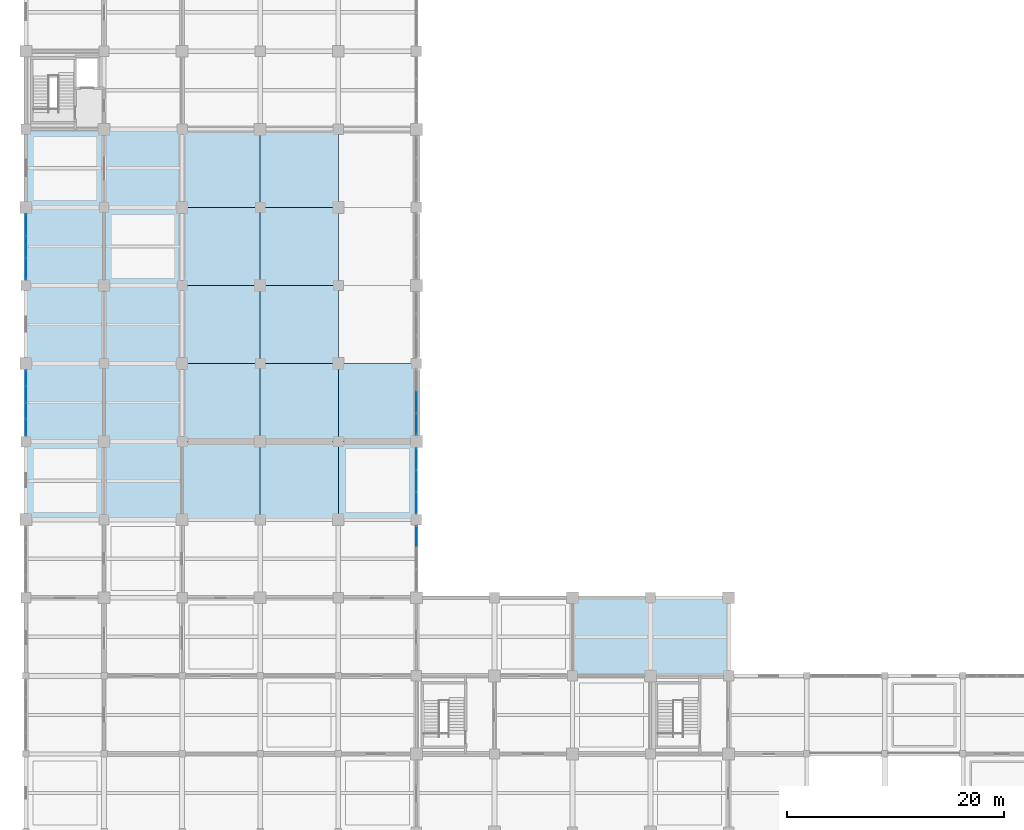
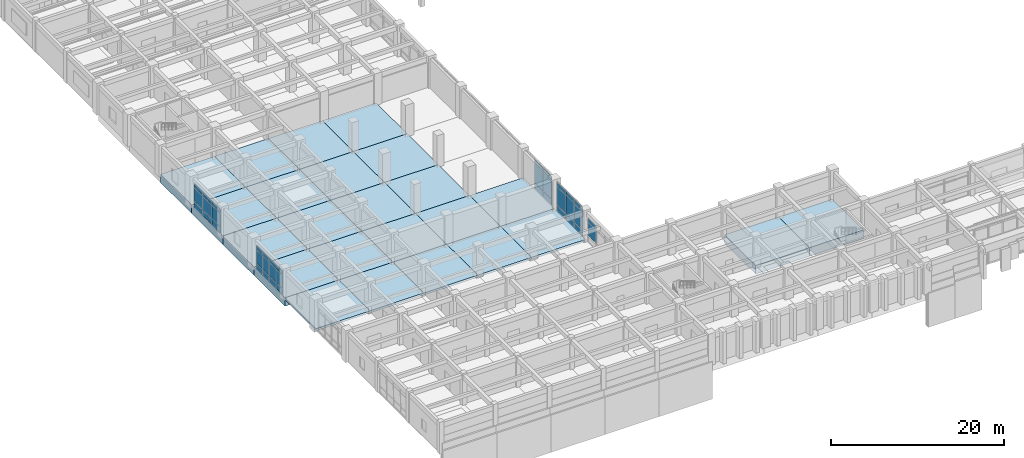
# One storey, part 39 of 81: 38 plates, 24 slabs, 5 elements without a shape of their own.
"""IFC4 building model written with IfcOpenShell, lengths in metres."""

from ifc_helpers import new_model, si_unit, direction, frame, origin, origin_2d, place, context, subcontext, project, spatial, polyline, rectangle, outline, extrude, material, layer, layer_set, type_object, element, aggregate, save


model = new_model("IFC4")

# Units and contexts
model_context = context("Model", 3, precision=1e-05, world=origin(), true_north=direction((0.0, 1.0)))
body_context = subcontext(model_context, "Body", "Model", "MODEL_VIEW")
ifc_project = project(units=[si_unit("LENGTHUNIT", "METRE"), si_unit("AREAUNIT", "SQUARE_METRE"), si_unit("VOLUMEUNIT", "CUBIC_METRE"), si_unit("PLANEANGLEUNIT", "RADIAN"), si_unit("MASSUNIT", "GRAM", prefix="KILO")], contexts=[model_context])

# Site, building, storey
site_placement = place(None, origin())
site = spatial("IfcSite", under=ifc_project, at=site_placement, CompositionType="ELEMENT")
building_placement = place(site_placement, origin())
building = spatial("IfcBuilding", under=site, at=building_placement, Name="Kavelor Marine Aquarium", CompositionType="ELEMENT")
storey_placement = place(building_placement, frame((0.0, 0.0, 4.679931640625)))
storey = spatial("IfcBuildingStorey", under=building, at=storey_placement, Name="L01", CompositionType="ELEMENT", Elevation=4.679931640625)

# Curtain wall, plates
ifc_material_1 = material(Name="Thermally Broken Aluminium and Low-E Glass", Category="aluminium")
ifc_layer_1 = layer(ifc_material_1, 0.251953125)
ifc_layer_set_1 = layer_set([ifc_layer_1], Name="CW-SYS14")
curtain_wall_type_1 = type_object("IfcCurtainWallType", Name="CW-SYS14", PredefinedType="USERDEFINED", material=ifc_layer_set_1)
curtain_wall_1_placement = place(storey_placement, origin())
curtain_wall_1 = element("IfcCurtainWall", 1, at=curtain_wall_1_placement, inside=storey, type_object=curtain_wall_type_1, Name="cw:y:L01:00_05", ObjectType="Curtain Wall", PredefinedType="USERDEFINED")
ifc_material_2 = material(Name="Solar-Control Double Low-E Glazing", Category="glass")
ifc_layer_2 = layer(ifc_material_2, 0.028076171875)
ifc_layer_set_2 = layer_set([ifc_layer_2], Name="CWP-02")
plate_type_1 = type_object("IfcPlateType", Name="CWP-02", PredefinedType="CURTAIN_PANEL", material=ifc_layer_set_2)
plate_1_placement = place(storey_placement, frame((3.199951171875, 44.628173828125, 0.06494140625), z_axis=(0.0, 0.0, 1.0), x_axis=(0.0, -1.0, 0.0)))
plate_1 = element("IfcPlate", 2, at=plate_1_placement, type_object=plate_type_1, Name="CW14 panel 1.1", PredefinedType="CURTAIN_PANEL", context=body_context, shape_type="SweptSolid", body=[
    extrude(rectangle(XDim=1.423828125, YDim=0.028076171875, at=origin_2d()), origin(), (0.0, 0.0, 1.0), 0.802490234375),
])
plate_2_placement = place(storey_placement, frame((3.199951171875, 44.628173828125, 0.9326171875), z_axis=(0.0, 0.0, 1.0), x_axis=(0.0, -1.0, 0.0)))
plate_2 = element("IfcPlate", 3, at=plate_2_placement, type_object=plate_type_1, Name="CW14 panel 1.2", PredefinedType="CURTAIN_PANEL", context=body_context, shape_type="SweptSolid", body=[
    extrude(rectangle(XDim=1.423828125, YDim=0.028076171875, at=origin_2d()), origin(), (0.0, 0.0, 1.0), 1.89501953125),
])
plate_3_placement = place(storey_placement, frame((3.199951171875, 44.628173828125, 2.892578125), z_axis=(0.0, 0.0, 1.0), x_axis=(0.0, -1.0, 0.0)))
plate_3 = element("IfcPlate", 4, at=plate_3_placement, type_object=plate_type_1, Name="CW14 panel 1.3", PredefinedType="CURTAIN_PANEL", context=body_context, shape_type="SweptSolid", body=[
    extrude(rectangle(XDim=1.423828125, YDim=0.028076171875, at=origin_2d()), origin(), (0.0, 0.0, 1.0), 0.552490234375),
])
plate_4_placement = place(storey_placement, frame((3.199951171875, 43.123046875, 0.06494140625), z_axis=(0.0, 0.0, 1.0), x_axis=(0.0, -1.0, 0.0)))
plate_4 = element("IfcPlate", 5, at=plate_4_placement, type_object=plate_type_1, Name="CW14 panel 2.1", PredefinedType="CURTAIN_PANEL", context=body_context, shape_type="SweptSolid", body=[
    extrude(rectangle(XDim=1.456298828125, YDim=0.028076171875, at=origin_2d()), origin(), (0.0, 0.0, 1.0), 0.802490234375),
])
plate_5_placement = place(storey_placement, frame((3.199951171875, 43.123046875, 0.9326171875), z_axis=(0.0, 0.0, 1.0), x_axis=(0.0, -1.0, 0.0)))
plate_5 = element("IfcPlate", 6, at=plate_5_placement, type_object=plate_type_1, Name="CW14 panel 2.2", PredefinedType="CURTAIN_PANEL", context=body_context, shape_type="SweptSolid", body=[
    extrude(rectangle(XDim=1.456298828125, YDim=0.028076171875, at=origin_2d()), origin(), (0.0, 0.0, 1.0), 1.89501953125),
])
plate_6_placement = place(storey_placement, frame((3.199951171875, 43.123046875, 2.892578125), z_axis=(0.0, 0.0, 1.0), x_axis=(0.0, -1.0, 0.0)))
plate_6 = element("IfcPlate", 7, at=plate_6_placement, type_object=plate_type_1, Name="CW14 panel 2.3", PredefinedType="CURTAIN_PANEL", context=body_context, shape_type="SweptSolid", body=[
    extrude(rectangle(XDim=1.456298828125, YDim=0.028076171875, at=origin_2d()), origin(), (0.0, 0.0, 1.0), 0.552490234375),
])
plate_7_placement = place(storey_placement, frame((3.199951171875, 41.601806640625, 0.06494140625), z_axis=(0.0, 0.0, 1.0), x_axis=(0.0, -1.0, 0.0)))
plate_7 = element("IfcPlate", 8, at=plate_7_placement, type_object=plate_type_1, Name="CW14 panel 3.1", PredefinedType="CURTAIN_PANEL", context=body_context, shape_type="SweptSolid", body=[
    extrude(rectangle(XDim=1.456298828125, YDim=0.028076171875, at=origin_2d()), origin(), (0.0, 0.0, 1.0), 0.802490234375),
])
plate_8_placement = place(storey_placement, frame((3.199951171875, 41.601806640625, 0.9326171875), z_axis=(0.0, 0.0, 1.0), x_axis=(0.0, -1.0, 0.0)))
plate_8 = element("IfcPlate", 9, at=plate_8_placement, type_object=plate_type_1, Name="CW14 panel 3.2", PredefinedType="CURTAIN_PANEL", context=body_context, shape_type="SweptSolid", body=[
    extrude(rectangle(XDim=1.456298828125, YDim=0.028076171875, at=origin_2d()), origin(), (0.0, 0.0, 1.0), 1.89501953125),
])
plate_9_placement = place(storey_placement, frame((3.199951171875, 41.601806640625, 2.892578125), z_axis=(0.0, 0.0, 1.0), x_axis=(0.0, -1.0, 0.0)))
plate_9 = element("IfcPlate", 10, at=plate_9_placement, type_object=plate_type_1, Name="CW14 panel 3.3", PredefinedType="CURTAIN_PANEL", context=body_context, shape_type="SweptSolid", body=[
    extrude(rectangle(XDim=1.456298828125, YDim=0.028076171875, at=origin_2d()), origin(), (0.0, 0.0, 1.0), 0.552490234375),
])
plate_10_placement = place(storey_placement, frame((3.199951171875, 40.096923828125, 0.06494140625), z_axis=(0.0, 0.0, 1.0), x_axis=(0.0, -1.0, 0.0)))
plate_10 = element("IfcPlate", 11, at=plate_10_placement, type_object=plate_type_1, Name="CW14 panel 4.1", PredefinedType="CURTAIN_PANEL", context=body_context, shape_type="SweptSolid", body=[
    extrude(rectangle(XDim=1.423828125, YDim=0.028076171875, at=origin_2d()), origin(), (0.0, 0.0, 1.0), 0.802490234375),
])
plate_11_placement = place(storey_placement, frame((3.199951171875, 40.096923828125, 0.9326171875), z_axis=(0.0, 0.0, 1.0), x_axis=(0.0, -1.0, 0.0)))
plate_11 = element("IfcPlate", 12, at=plate_11_placement, type_object=plate_type_1, Name="CW14 panel 4.2", PredefinedType="CURTAIN_PANEL", context=body_context, shape_type="SweptSolid", body=[
    extrude(rectangle(XDim=1.423828125, YDim=0.028076171875, at=origin_2d()), origin(), (0.0, 0.0, 1.0), 1.89501953125),
])
plate_12_placement = place(storey_placement, frame((3.199951171875, 40.096923828125, 2.892578125), z_axis=(0.0, 0.0, 1.0), x_axis=(0.0, -1.0, 0.0)))
plate_12 = element("IfcPlate", 13, at=plate_12_placement, type_object=plate_type_1, Name="CW14 panel 4.3", PredefinedType="CURTAIN_PANEL", context=body_context, shape_type="SweptSolid", body=[
    extrude(rectangle(XDim=1.423828125, YDim=0.028076171875, at=origin_2d()), origin(), (0.0, 0.0, 1.0), 0.552490234375),
])
aggregate(curtain_wall_1, [plate_1, plate_2, plate_3, plate_4, plate_5, plate_6, plate_7, plate_8, plate_9, plate_10, plate_11, plate_12])

ifc_material_3 = material(Name="Thermally Broken Aluminium and Low-E Glass", Category="aluminium")
ifc_layer_3 = layer(ifc_material_3, 0.260009765625)
ifc_layer_set_3 = layer_set([ifc_layer_3], Name="CW-SYS15")
curtain_wall_type_2 = type_object("IfcCurtainWallType", Name="CW-SYS15", PredefinedType="USERDEFINED", material=ifc_layer_set_3)
curtain_wall_2_placement = place(storey_placement, origin())
curtain_wall_2 = element("IfcCurtainWall", 14, at=curtain_wall_2_placement, inside=storey, type_object=curtain_wall_type_2, Name="cw:y:L01:00_07", ObjectType="Curtain Wall", PredefinedType="USERDEFINED")
ifc_material_4 = material(Name="Solar-Control Double Low-E Glazing", Category="glass")
ifc_layer_4 = layer(ifc_material_4, 0.030029296875)
ifc_layer_set_4 = layer_set([ifc_layer_4], Name="CWP-03")
plate_type_2 = type_object("IfcPlateType", Name="CWP-03", PredefinedType="CURTAIN_PANEL", material=ifc_layer_set_4)
plate_13_placement = place(storey_placement, frame((3.199951171875, 58.77587890625, 0.06494140625), z_axis=(0.0, 0.0, 1.0), x_axis=(0.0, -1.0, 0.0)))
plate_13 = element("IfcPlate", 15, at=plate_13_placement, type_object=plate_type_2, Name="CW15 panel 1.1", PredefinedType="CURTAIN_PANEL", context=body_context, shape_type="SweptSolid", body=[
    extrude(rectangle(XDim=1.938232421875, YDim=0.030029296875, at=origin_2d()), origin(), (0.0, 0.0, 1.0), 0.802490234375),
])
plate_14_placement = place(storey_placement, frame((3.199951171875, 58.77587890625, 0.9326171875), z_axis=(0.0, 0.0, 1.0), x_axis=(0.0, -1.0, 0.0)))
plate_14 = element("IfcPlate", 16, at=plate_14_placement, type_object=plate_type_2, Name="CW15 panel 1.2", PredefinedType="CURTAIN_PANEL", context=body_context, shape_type="SweptSolid", body=[
    extrude(rectangle(XDim=1.938232421875, YDim=0.030029296875, at=origin_2d()), origin(), (0.0, 0.0, 1.0), 1.89501953125),
])
plate_15_placement = place(storey_placement, frame((3.199951171875, 58.77587890625, 2.892578125), z_axis=(0.0, 0.0, 1.0), x_axis=(0.0, -1.0, 0.0)))
plate_15 = element("IfcPlate", 17, at=plate_15_placement, type_object=plate_type_2, Name="CW15 panel 1.3", PredefinedType="CURTAIN_PANEL", context=body_context, shape_type="SweptSolid", body=[
    extrude(rectangle(XDim=1.938232421875, YDim=0.030029296875, at=origin_2d()), origin(), (0.0, 0.0, 1.0), 0.552490234375),
])
plate_16_placement = place(storey_placement, frame((3.199951171875, 56.762451171875, 0.06494140625), z_axis=(0.0, 0.0, 1.0), x_axis=(0.0, -1.0, 0.0)))
plate_16 = element("IfcPlate", 18, at=plate_16_placement, type_object=plate_type_2, Name="CW15 panel 2.1", PredefinedType="CURTAIN_PANEL", context=body_context, shape_type="SweptSolid", body=[
    extrude(rectangle(XDim=1.96826171875, YDim=0.030029296875, at=origin_2d()), origin(), (0.0, 0.0, 1.0), 0.802490234375),
])
plate_17_placement = place(storey_placement, frame((3.199951171875, 56.762451171875, 0.9326171875), z_axis=(0.0, 0.0, 1.0), x_axis=(0.0, -1.0, 0.0)))
plate_17 = element("IfcPlate", 19, at=plate_17_placement, type_object=plate_type_2, Name="CW15 panel 2.2", PredefinedType="CURTAIN_PANEL", context=body_context, shape_type="SweptSolid", body=[
    extrude(rectangle(XDim=1.96826171875, YDim=0.030029296875, at=origin_2d()), origin(), (0.0, 0.0, 1.0), 1.89501953125),
])
plate_18_placement = place(storey_placement, frame((3.199951171875, 56.762451171875, 2.892578125), z_axis=(0.0, 0.0, 1.0), x_axis=(0.0, -1.0, 0.0)))
plate_18 = element("IfcPlate", 20, at=plate_18_placement, type_object=plate_type_2, Name="CW15 panel 2.3", PredefinedType="CURTAIN_PANEL", context=body_context, shape_type="SweptSolid", body=[
    extrude(rectangle(XDim=1.96826171875, YDim=0.030029296875, at=origin_2d()), origin(), (0.0, 0.0, 1.0), 0.552490234375),
])
plate_19_placement = place(storey_placement, frame((3.199951171875, 54.749267578125, 0.06494140625), z_axis=(0.0, 0.0, 1.0), x_axis=(0.0, -1.0, 0.0)))
plate_19 = element("IfcPlate", 21, at=plate_19_placement, type_object=plate_type_2, Name="CW15 panel 3.1", PredefinedType="CURTAIN_PANEL", context=body_context, shape_type="SweptSolid", body=[
    extrude(rectangle(XDim=1.938232421875, YDim=0.030029296875, at=origin_2d()), origin(), (0.0, 0.0, 1.0), 0.802490234375),
])
plate_20_placement = place(storey_placement, frame((3.199951171875, 54.749267578125, 0.9326171875), z_axis=(0.0, 0.0, 1.0), x_axis=(0.0, -1.0, 0.0)))
plate_20 = element("IfcPlate", 22, at=plate_20_placement, type_object=plate_type_2, Name="CW15 panel 3.2", PredefinedType="CURTAIN_PANEL", context=body_context, shape_type="SweptSolid", body=[
    extrude(rectangle(XDim=1.938232421875, YDim=0.030029296875, at=origin_2d()), origin(), (0.0, 0.0, 1.0), 1.89501953125),
])
plate_21_placement = place(storey_placement, frame((3.199951171875, 54.749267578125, 2.892578125), z_axis=(0.0, 0.0, 1.0), x_axis=(0.0, -1.0, 0.0)))
plate_21 = element("IfcPlate", 23, at=plate_21_placement, type_object=plate_type_2, Name="CW15 panel 3.3", PredefinedType="CURTAIN_PANEL", context=body_context, shape_type="SweptSolid", body=[
    extrude(rectangle(XDim=1.938232421875, YDim=0.030029296875, at=origin_2d()), origin(), (0.0, 0.0, 1.0), 0.552490234375),
])
aggregate(curtain_wall_2, [plate_13, plate_14, plate_15, plate_16, plate_17, plate_18, plate_19, plate_20, plate_21])

ifc_material_5 = material(Name="Thermally Broken Aluminium and Low-E Glass", Category="aluminium")
ifc_layer_5 = layer(ifc_material_5, 0.26806640625)
ifc_layer_set_5 = layer_set([ifc_layer_5], Name="CW-SYS16")
curtain_wall_type_3 = type_object("IfcCurtainWallType", Name="CW-SYS16", PredefinedType="USERDEFINED", material=ifc_layer_set_5)
curtain_wall_3_placement = place(storey_placement, origin())
curtain_wall_3 = element("IfcCurtainWall", 24, at=curtain_wall_3_placement, inside=storey, type_object=curtain_wall_type_3, Name="cw:y:L01:05_03", ObjectType="Curtain Wall", PredefinedType="USERDEFINED")
ifc_material_6 = material(Name="Solar-Control Double Low-E Glazing", Category="glass")
ifc_layer_6 = layer(ifc_material_6, 0.031982421875)
ifc_layer_set_6 = layer_set([ifc_layer_6], Name="CWP-04")
plate_type_3 = type_object("IfcPlateType", Name="CWP-04", PredefinedType="CURTAIN_PANEL", material=ifc_layer_set_6)
plate_22_placement = place(storey_placement, frame((39.199951171875, 30.047119140625, 0.93017578125), z_axis=(0.0, 0.0, 1.0), x_axis=(0.0, 1.0, 0.0)))
plate_22 = element("IfcPlate", 25, at=plate_22_placement, type_object=plate_type_3, Name="CW16 panel 3.2", PredefinedType="CURTAIN_PANEL", context=body_context, shape_type="SweptSolid", body=[
    extrude(rectangle(XDim=1.915771484375, YDim=0.031982421875, at=origin_2d()), origin(), (0.0, 0.0, 1.0), 1.89990234375),
])
plate_23_placement = place(storey_placement, frame((39.199951171875, 30.047119140625, 2.89013671875), z_axis=(0.0, 0.0, 1.0), x_axis=(0.0, 1.0, 0.0)))
plate_23 = element("IfcPlate", 26, at=plate_23_placement, type_object=plate_type_3, Name="CW16 panel 3.3", PredefinedType="CURTAIN_PANEL", context=body_context, shape_type="SweptSolid", body=[
    extrude(rectangle(XDim=1.915771484375, YDim=0.031982421875, at=origin_2d()), origin(), (0.0, 0.0, 1.0), 0.56005859375),
])
aggregate(curtain_wall_3, [plate_22, plate_23])

ifc_material_7 = material(Name="Thermally Broken Aluminium and Low-E Glass", Category="aluminium")
ifc_layer_7 = layer(ifc_material_7, 0.27587890625)
ifc_layer_set_7 = layer_set([ifc_layer_7], Name="CW-SYS17")
curtain_wall_type_4 = type_object("IfcCurtainWallType", Name="CW-SYS17", PredefinedType="USERDEFINED", material=ifc_layer_set_7)
curtain_wall_4_placement = place(storey_placement, origin())
curtain_wall_4 = element("IfcCurtainWall", 27, at=curtain_wall_4_placement, inside=storey, type_object=curtain_wall_type_4, Name="cw:y:L01:05_04", ObjectType="Curtain Wall", PredefinedType="USERDEFINED")
ifc_material_8 = material(Name="Solar-Control Double Low-E Glazing", Category="glass")
ifc_layer_8 = layer(ifc_material_8, 0.033935546875)
ifc_layer_set_8 = layer_set([ifc_layer_8], Name="CWP-05")
plate_type_4 = type_object("IfcPlateType", Name="CWP-05", PredefinedType="CURTAIN_PANEL", material=ifc_layer_set_8)
plate_24_placement = place(storey_placement, frame((39.199951171875, 33.150390625, 0.06005859375), z_axis=(0.0, 0.0, 1.0), x_axis=(0.0, 1.0, 0.0)))
plate_24 = element("IfcPlate", 28, at=plate_24_placement, type_object=plate_type_4, Name="CW17 panel 1.1", PredefinedType="CURTAIN_PANEL", context=body_context, shape_type="SweptSolid", body=[
    extrude(rectangle(XDim=1.930908203125, YDim=0.033935546875, at=origin_2d()), origin(), (0.0, 0.0, 1.0), 0.81005859375),
])
plate_25_placement = place(storey_placement, frame((39.199951171875, 33.150390625, 0.93017578125), z_axis=(0.0, 0.0, 1.0), x_axis=(0.0, 1.0, 0.0)))
plate_25 = element("IfcPlate", 29, at=plate_25_placement, type_object=plate_type_4, Name="CW17 panel 1.2", PredefinedType="CURTAIN_PANEL", context=body_context, shape_type="SweptSolid", body=[
    extrude(rectangle(XDim=1.930908203125, YDim=0.033935546875, at=origin_2d()), origin(), (0.0, 0.0, 1.0), 2.590087890625),
])
plate_26_placement = place(storey_placement, frame((39.199951171875, 33.150390625, 3.580078125), z_axis=(0.0, 0.0, 1.0), x_axis=(0.0, 1.0, 0.0)))
plate_26 = element("IfcPlate", 30, at=plate_26_placement, type_object=plate_type_4, Name="CW17 panel 1.3", PredefinedType="CURTAIN_PANEL", context=body_context, shape_type="SweptSolid", body=[
    extrude(rectangle(XDim=1.930908203125, YDim=0.033935546875, at=origin_2d()), origin(), (0.0, 0.0, 1.0), 0.56005859375),
])
plate_27_placement = place(storey_placement, frame((39.199951171875, 35.16259765625, 0.06005859375), z_axis=(0.0, 0.0, 1.0), x_axis=(0.0, 1.0, 0.0)))
plate_27 = element("IfcPlate", 31, at=plate_27_placement, type_object=plate_type_4, Name="CW17 panel 2.1", PredefinedType="CURTAIN_PANEL", context=body_context, shape_type="SweptSolid", body=[
    extrude(rectangle(XDim=1.96337890625, YDim=0.033935546875, at=origin_2d()), origin(), (0.0, 0.0, 1.0), 0.81005859375),
])
plate_28_placement = place(storey_placement, frame((39.199951171875, 35.16259765625, 0.93017578125), z_axis=(0.0, 0.0, 1.0), x_axis=(0.0, 1.0, 0.0)))
plate_28 = element("IfcPlate", 32, at=plate_28_placement, type_object=plate_type_4, Name="CW17 panel 2.2", PredefinedType="CURTAIN_PANEL", context=body_context, shape_type="SweptSolid", body=[
    extrude(rectangle(XDim=1.96337890625, YDim=0.033935546875, at=origin_2d()), origin(), (0.0, 0.0, 1.0), 2.590087890625),
])
plate_29_placement = place(storey_placement, frame((39.199951171875, 35.16259765625, 3.580078125), z_axis=(0.0, 0.0, 1.0), x_axis=(0.0, 1.0, 0.0)))
plate_29 = element("IfcPlate", 33, at=plate_29_placement, type_object=plate_type_4, Name="CW17 panel 2.3", PredefinedType="CURTAIN_PANEL", context=body_context, shape_type="SweptSolid", body=[
    extrude(rectangle(XDim=1.96337890625, YDim=0.033935546875, at=origin_2d()), origin(), (0.0, 0.0, 1.0), 0.56005859375),
])
plate_30_placement = place(storey_placement, frame((39.199951171875, 37.174560546875, 0.06005859375), z_axis=(0.0, 0.0, 1.0), x_axis=(0.0, 1.0, 0.0)))
plate_30 = element("IfcPlate", 34, at=plate_30_placement, type_object=plate_type_4, Name="CW17 panel 3.1", PredefinedType="CURTAIN_PANEL", context=body_context, shape_type="SweptSolid", body=[
    extrude(rectangle(XDim=1.930908203125, YDim=0.033935546875, at=origin_2d()), origin(), (0.0, 0.0, 1.0), 0.81005859375),
])
plate_31_placement = place(storey_placement, frame((39.199951171875, 37.174560546875, 0.93017578125), z_axis=(0.0, 0.0, 1.0), x_axis=(0.0, 1.0, 0.0)))
plate_31 = element("IfcPlate", 35, at=plate_31_placement, type_object=plate_type_4, Name="CW17 panel 3.2", PredefinedType="CURTAIN_PANEL", context=body_context, shape_type="SweptSolid", body=[
    extrude(rectangle(XDim=1.930908203125, YDim=0.033935546875, at=origin_2d()), origin(), (0.0, 0.0, 1.0), 2.590087890625),
])
plate_32_placement = place(storey_placement, frame((39.199951171875, 37.174560546875, 3.580078125), z_axis=(0.0, 0.0, 1.0), x_axis=(0.0, 1.0, 0.0)))
plate_32 = element("IfcPlate", 36, at=plate_32_placement, type_object=plate_type_4, Name="CW17 panel 3.3", PredefinedType="CURTAIN_PANEL", context=body_context, shape_type="SweptSolid", body=[
    extrude(rectangle(XDim=1.930908203125, YDim=0.033935546875, at=origin_2d()), origin(), (0.0, 0.0, 1.0), 0.56005859375),
])
aggregate(curtain_wall_4, [plate_24, plate_25, plate_26, plate_27, plate_28, plate_29, plate_30, plate_31, plate_32])

ifc_material_9 = material(Name="Thermally Broken Aluminium and Low-E Glass", Category="aluminium")
ifc_layer_9 = layer(ifc_material_9, 0.283935546875)
ifc_layer_set_9 = layer_set([ifc_layer_9], Name="CW-SYS18")
curtain_wall_type_5 = type_object("IfcCurtainWallType", Name="CW-SYS18", PredefinedType="USERDEFINED", material=ifc_layer_set_9)
curtain_wall_5_placement = place(storey_placement, origin())
curtain_wall_5 = element("IfcCurtainWall", 37, at=curtain_wall_5_placement, inside=storey, type_object=curtain_wall_type_5, Name="cw:y:L01:05_05", ObjectType="Curtain Wall", PredefinedType="USERDEFINED")
ifc_material_10 = material(Name="Solar-Control Double Low-E Glazing", Category="glass")
ifc_layer_10 = layer(ifc_material_10, 0.035888671875)
ifc_layer_set_10 = layer_set([ifc_layer_10], Name="CWP-06")
plate_type_5 = type_object("IfcPlateType", Name="CWP-06", PredefinedType="CURTAIN_PANEL", material=ifc_layer_set_10)
plate_33_placement = place(storey_placement, frame((39.199951171875, 40.424072265625, 0.074951171875), z_axis=(0.0, 0.0, 1.0), x_axis=(0.0, 1.0, 0.0)))
plate_33 = element("IfcPlate", 38, at=plate_33_placement, type_object=plate_type_5, Name="CW18 panel 1.1", PredefinedType="CURTAIN_PANEL", context=body_context, shape_type="SweptSolid", body=[
    extrude(rectangle(XDim=1.938232421875, YDim=0.035888671875, at=origin_2d()), origin(), (0.0, 0.0, 1.0), 0.78759765625),
])
plate_34_placement = place(storey_placement, frame((39.199951171875, 40.424072265625, 0.9375), z_axis=(0.0, 0.0, 1.0), x_axis=(0.0, 1.0, 0.0)))
plate_34 = element("IfcPlate", 39, at=plate_34_placement, type_object=plate_type_5, Name="CW18 panel 1.2", PredefinedType="CURTAIN_PANEL", context=body_context, shape_type="SweptSolid", body=[
    extrude(rectangle(XDim=1.938232421875, YDim=0.035888671875, at=origin_2d()), origin(), (0.0, 0.0, 1.0), 2.574951171875),
])
plate_35_placement = place(storey_placement, frame((39.199951171875, 40.424072265625, 3.58740234375), z_axis=(0.0, 0.0, 1.0), x_axis=(0.0, 1.0, 0.0)))
plate_35 = element("IfcPlate", 40, at=plate_35_placement, type_object=plate_type_5, Name="CW18 panel 1.3", PredefinedType="CURTAIN_PANEL", context=body_context, shape_type="SweptSolid", body=[
    extrude(rectangle(XDim=1.938232421875, YDim=0.035888671875, at=origin_2d()), origin(), (0.0, 0.0, 1.0), 0.53759765625),
])
plate_36_placement = place(storey_placement, frame((39.199951171875, 42.4375, 0.074951171875), z_axis=(0.0, 0.0, 1.0), x_axis=(0.0, 1.0, 0.0)))
plate_36 = element("IfcPlate", 41, at=plate_36_placement, type_object=plate_type_5, Name="CW18 panel 2.1", PredefinedType="CURTAIN_PANEL", context=body_context, shape_type="SweptSolid", body=[
    extrude(rectangle(XDim=1.96826171875, YDim=0.035888671875, at=origin_2d()), origin(), (0.0, 0.0, 1.0), 0.78759765625),
])
plate_37_placement = place(storey_placement, frame((39.199951171875, 42.4375, 0.9375), z_axis=(0.0, 0.0, 1.0), x_axis=(0.0, 1.0, 0.0)))
plate_37 = element("IfcPlate", 42, at=plate_37_placement, type_object=plate_type_5, Name="CW18 panel 2.2", PredefinedType="CURTAIN_PANEL", context=body_context, shape_type="SweptSolid", body=[
    extrude(rectangle(XDim=1.96826171875, YDim=0.035888671875, at=origin_2d()), origin(), (0.0, 0.0, 1.0), 2.574951171875),
])
plate_38_placement = place(storey_placement, frame((39.199951171875, 42.4375, 3.58740234375), z_axis=(0.0, 0.0, 1.0), x_axis=(0.0, 1.0, 0.0)))
plate_38 = element("IfcPlate", 43, at=plate_38_placement, type_object=plate_type_5, Name="CW18 panel 2.3", PredefinedType="CURTAIN_PANEL", context=body_context, shape_type="SweptSolid", body=[
    extrude(rectangle(XDim=1.96826171875, YDim=0.035888671875, at=origin_2d()), origin(), (0.0, 0.0, 1.0), 0.53759765625),
])
aggregate(curtain_wall_5, [plate_33, plate_34, plate_35, plate_36, plate_37, plate_38])

# Slabs
ifc_material_11 = material(Name="Concrete C40/50", Category="concrete")
ifc_layer_11 = layer(ifc_material_11, 0.300048828125)
ifc_layer_set_11 = layer_set([ifc_layer_11], Name="SL-FL1")
slab_type_1 = type_object("IfcSlabType", Name="SL-FL1", PredefinedType="FLOOR", material=ifc_layer_set_11)
slab_1_placement = place(storey_placement, frame((0.0, 0.0, -0.300048828125)))
element("IfcSlab", 44, at=slab_1_placement, inside=storey, type_object=slab_type_1, Name="slab:L01:00_04", PredefinedType="FLOOR", context=body_context, shape_type="SweptSolid", body=[
    extrude(outline(polyline([(3.199951171875, 31.60009765625), (10.39990234375, 31.60009765625), (10.39990234375, 38.800048828125), (3.199951171875, 38.800048828125), (3.199951171875, 31.60009765625)])), origin(), (0.0, 0.0, 1.0), 0.300048828125),
])
slab_2_placement = place(storey_placement, frame((0.0, 0.0, -0.300048828125)))
element("IfcSlab", 45, at=slab_2_placement, inside=storey, type_object=slab_type_1, Name="slab:L01:01_04", PredefinedType="FLOOR", context=body_context, shape_type="SweptSolid", body=[
    extrude(outline(polyline([(10.39990234375, 31.60009765625), (17.60009765625, 31.60009765625), (17.60009765625, 38.800048828125), (10.39990234375, 38.800048828125), (10.39990234375, 31.60009765625)])), origin(), (0.0, 0.0, 1.0), 0.300048828125),
])
slab_3_placement = place(storey_placement, frame((0.0, 0.0, -0.300048828125)))
element("IfcSlab", 46, at=slab_3_placement, inside=storey, type_object=slab_type_1, Name="slab:L01:02_04", PredefinedType="FLOOR", context=body_context, shape_type="SweptSolid", body=[
    extrude(outline(polyline([(17.60009765625, 31.60009765625), (24.800048828125, 31.60009765625), (24.800048828125, 38.800048828125), (17.60009765625, 38.800048828125), (17.60009765625, 31.60009765625)])), origin(), (0.0, 0.0, 1.0), 0.300048828125),
])
slab_4_placement = place(storey_placement, frame((0.0, 0.0, -0.300048828125)))
element("IfcSlab", 47, at=slab_4_placement, inside=storey, type_object=slab_type_1, Name="slab:L01:03_04", PredefinedType="FLOOR", context=body_context, shape_type="SweptSolid", body=[
    extrude(outline(polyline([(24.800048828125, 31.60009765625), (32.0, 31.60009765625), (32.0, 38.800048828125), (24.800048828125, 38.800048828125), (24.800048828125, 31.60009765625)])), origin(), (0.0, 0.0, 1.0), 0.300048828125),
])
slab_5_placement = place(storey_placement, frame((0.0, 0.0, -0.300048828125)))
element("IfcSlab", 48, at=slab_5_placement, inside=storey, type_object=slab_type_1, Name="slab:L01:04_04", PredefinedType="FLOOR", context=body_context, shape_type="SweptSolid", body=[
    extrude(outline(polyline([(32.0, 31.60009765625), (39.199951171875, 31.60009765625), (39.199951171875, 38.800048828125), (32.0, 38.800048828125), (32.0, 31.60009765625)])), origin(), (0.0, 0.0, 1.0), 0.300048828125),
])
ifc_material_12 = material(Name="Concrete C45/55", Category="concrete")
ifc_layer_12 = layer(ifc_material_12, 1.199951171875)
ifc_layer_set_12 = layer_set([ifc_layer_12], Name="SL-TR1")
slab_type_2 = type_object("IfcSlabType", Name="SL-TR1", PredefinedType="FLOOR", material=ifc_layer_set_12)
slab_6_placement = place(storey_placement, frame((0.0, 0.0, -1.199951171875)))
element("IfcSlab", 49, at=slab_6_placement, inside=storey, type_object=slab_type_2, Name="slab:L01:00_05", PredefinedType="FLOOR", context=body_context, shape_type="SweptSolid", body=[
    extrude(outline(polyline([(3.199951171875, 38.800048828125), (10.39990234375, 38.800048828125), (10.39990234375, 46.0), (3.199951171875, 46.0), (3.199951171875, 38.800048828125)])), origin(), (0.0, 0.0, 1.0), 1.199951171875),
])
slab_7_placement = place(storey_placement, frame((0.0, 0.0, -1.199951171875)))
element("IfcSlab", 50, at=slab_7_placement, inside=storey, type_object=slab_type_2, Name="slab:L01:00_06", PredefinedType="FLOOR", context=body_context, shape_type="SweptSolid", body=[
    extrude(outline(polyline([(3.199951171875, 46.0), (10.39990234375, 46.0), (10.39990234375, 53.199951171875), (3.199951171875, 53.199951171875), (3.199951171875, 46.0)])), origin(), (0.0, 0.0, 1.0), 1.199951171875),
])
slab_8_placement = place(storey_placement, frame((0.0, 0.0, -1.199951171875)))
element("IfcSlab", 51, at=slab_8_placement, inside=storey, type_object=slab_type_2, Name="slab:L01:00_07", PredefinedType="FLOOR", context=body_context, shape_type="SweptSolid", body=[
    extrude(outline(polyline([(3.199951171875, 53.199951171875), (10.39990234375, 53.199951171875), (10.39990234375, 60.39990234375), (3.199951171875, 60.39990234375), (3.199951171875, 53.199951171875)])), origin(), (0.0, 0.0, 1.0), 1.199951171875),
])
slab_9_placement = place(storey_placement, frame((0.0, 0.0, -1.199951171875)))
element("IfcSlab", 52, at=slab_9_placement, inside=storey, type_object=slab_type_2, Name="slab:L01:00_08", PredefinedType="FLOOR", context=body_context, shape_type="SweptSolid", body=[
    extrude(outline(polyline([(3.199951171875, 60.39990234375), (10.39990234375, 60.39990234375), (10.39990234375, 67.60009765625), (3.199951171875, 67.60009765625), (3.199951171875, 60.39990234375)])), origin(), (0.0, 0.0, 1.0), 1.199951171875),
])
slab_10_placement = place(storey_placement, frame((0.0, 0.0, -1.199951171875)))
element("IfcSlab", 53, at=slab_10_placement, inside=storey, type_object=slab_type_2, Name="slab:L01:01_05", PredefinedType="FLOOR", context=body_context, shape_type="SweptSolid", body=[
    extrude(outline(polyline([(10.39990234375, 38.800048828125), (17.60009765625, 38.800048828125), (17.60009765625, 46.0), (10.39990234375, 46.0), (10.39990234375, 38.800048828125)])), origin(), (0.0, 0.0, 1.0), 1.199951171875),
])
slab_11_placement = place(storey_placement, frame((0.0, 0.0, -1.199951171875)))
element("IfcSlab", 54, at=slab_11_placement, inside=storey, type_object=slab_type_2, Name="slab:L01:01_06", PredefinedType="FLOOR", context=body_context, shape_type="SweptSolid", body=[
    extrude(outline(polyline([(10.39990234375, 46.0), (17.60009765625, 46.0), (17.60009765625, 53.199951171875), (10.39990234375, 53.199951171875), (10.39990234375, 46.0)])), origin(), (0.0, 0.0, 1.0), 1.199951171875),
])
slab_12_placement = place(storey_placement, frame((0.0, 0.0, -1.199951171875)))
element("IfcSlab", 55, at=slab_12_placement, inside=storey, type_object=slab_type_2, Name="slab:L01:01_07", PredefinedType="FLOOR", context=body_context, shape_type="SweptSolid", body=[
    extrude(outline(polyline([(10.39990234375, 53.199951171875), (17.60009765625, 53.199951171875), (17.60009765625, 60.39990234375), (10.39990234375, 60.39990234375), (10.39990234375, 53.199951171875)])), origin(), (0.0, 0.0, 1.0), 1.199951171875),
])
slab_13_placement = place(storey_placement, frame((0.0, 0.0, -1.199951171875)))
element("IfcSlab", 56, at=slab_13_placement, inside=storey, type_object=slab_type_2, Name="slab:L01:01_08", PredefinedType="FLOOR", context=body_context, shape_type="SweptSolid", body=[
    extrude(outline(polyline([(10.39990234375, 60.39990234375), (17.60009765625, 60.39990234375), (17.60009765625, 67.60009765625), (10.39990234375, 67.60009765625), (10.39990234375, 60.39990234375)])), origin(), (0.0, 0.0, 1.0), 1.199951171875),
])
slab_14_placement = place(storey_placement, frame((0.0, 0.0, -1.199951171875)))
element("IfcSlab", 57, at=slab_14_placement, inside=storey, type_object=slab_type_2, Name="slab:L01:02_05", PredefinedType="FLOOR", context=body_context, shape_type="SweptSolid", body=[
    extrude(outline(polyline([(17.60009765625, 38.800048828125), (24.800048828125, 38.800048828125), (24.800048828125, 46.0), (17.60009765625, 46.0), (17.60009765625, 38.800048828125)])), origin(), (0.0, 0.0, 1.0), 1.199951171875),
])
slab_15_placement = place(storey_placement, frame((0.0, 0.0, -1.199951171875)))
element("IfcSlab", 58, at=slab_15_placement, inside=storey, type_object=slab_type_2, Name="slab:L01:02_06", PredefinedType="FLOOR", context=body_context, shape_type="SweptSolid", body=[
    extrude(outline(polyline([(17.60009765625, 46.0), (24.800048828125, 46.0), (24.800048828125, 53.199951171875), (17.60009765625, 53.199951171875), (17.60009765625, 46.0)])), origin(), (0.0, 0.0, 1.0), 1.199951171875),
])
slab_16_placement = place(storey_placement, frame((0.0, 0.0, -1.199951171875)))
element("IfcSlab", 59, at=slab_16_placement, inside=storey, type_object=slab_type_2, Name="slab:L01:02_07", PredefinedType="FLOOR", context=body_context, shape_type="SweptSolid", body=[
    extrude(outline(polyline([(17.60009765625, 53.199951171875), (24.800048828125, 53.199951171875), (24.800048828125, 60.39990234375), (17.60009765625, 60.39990234375), (17.60009765625, 53.199951171875)])), origin(), (0.0, 0.0, 1.0), 1.199951171875),
])
slab_17_placement = place(storey_placement, frame((0.0, 0.0, -1.199951171875)))
element("IfcSlab", 60, at=slab_17_placement, inside=storey, type_object=slab_type_2, Name="slab:L01:02_08", PredefinedType="FLOOR", context=body_context, shape_type="SweptSolid", body=[
    extrude(outline(polyline([(17.60009765625, 60.39990234375), (24.800048828125, 60.39990234375), (24.800048828125, 67.60009765625), (17.60009765625, 67.60009765625), (17.60009765625, 60.39990234375)])), origin(), (0.0, 0.0, 1.0), 1.199951171875),
])
slab_18_placement = place(storey_placement, frame((0.0, 0.0, -1.199951171875)))
element("IfcSlab", 61, at=slab_18_placement, inside=storey, type_object=slab_type_2, Name="slab:L01:03_05", PredefinedType="FLOOR", context=body_context, shape_type="SweptSolid", body=[
    extrude(outline(polyline([(24.800048828125, 38.800048828125), (32.0, 38.800048828125), (32.0, 46.0), (24.800048828125, 46.0), (24.800048828125, 38.800048828125)])), origin(), (0.0, 0.0, 1.0), 1.199951171875),
])
slab_19_placement = place(storey_placement, frame((0.0, 0.0, -1.199951171875)))
element("IfcSlab", 62, at=slab_19_placement, inside=storey, type_object=slab_type_2, Name="slab:L01:03_06", PredefinedType="FLOOR", context=body_context, shape_type="SweptSolid", body=[
    extrude(outline(polyline([(24.800048828125, 46.0), (32.0, 46.0), (32.0, 53.199951171875), (24.800048828125, 53.199951171875), (24.800048828125, 46.0)])), origin(), (0.0, 0.0, 1.0), 1.199951171875),
])
slab_20_placement = place(storey_placement, frame((0.0, 0.0, -1.199951171875)))
element("IfcSlab", 63, at=slab_20_placement, inside=storey, type_object=slab_type_2, Name="slab:L01:03_07", PredefinedType="FLOOR", context=body_context, shape_type="SweptSolid", body=[
    extrude(outline(polyline([(24.800048828125, 53.199951171875), (32.0, 53.199951171875), (32.0, 60.39990234375), (24.800048828125, 60.39990234375), (24.800048828125, 53.199951171875)])), origin(), (0.0, 0.0, 1.0), 1.199951171875),
])
slab_21_placement = place(storey_placement, frame((0.0, 0.0, -1.199951171875)))
element("IfcSlab", 64, at=slab_21_placement, inside=storey, type_object=slab_type_2, Name="slab:L01:03_08", PredefinedType="FLOOR", context=body_context, shape_type="SweptSolid", body=[
    extrude(outline(polyline([(24.800048828125, 60.39990234375), (32.0, 60.39990234375), (32.0, 67.60009765625), (24.800048828125, 67.60009765625), (24.800048828125, 60.39990234375)])), origin(), (0.0, 0.0, 1.0), 1.199951171875),
])
slab_22_placement = place(storey_placement, frame((0.0, 0.0, -1.199951171875)))
element("IfcSlab", 65, at=slab_22_placement, inside=storey, type_object=slab_type_2, Name="slab:L01:04_05", PredefinedType="FLOOR", context=body_context, shape_type="SweptSolid", body=[
    extrude(outline(polyline([(32.0, 38.800048828125), (39.199951171875, 38.800048828125), (39.199951171875, 46.0), (32.0, 46.0), (32.0, 38.800048828125)])), origin(), (0.0, 0.0, 1.0), 1.199951171875),
])
slab_23_placement = place(storey_placement, frame((0.0, 0.0, -1.199951171875)))
element("IfcSlab", 66, at=slab_23_placement, inside=storey, type_object=slab_type_2, Name="slab:L01:07_02", PredefinedType="FLOOR", context=body_context, shape_type="SweptSolid", body=[
    extrude(outline(polyline([(53.60009765625, 17.199951171875), (60.800048828125, 17.199951171875), (60.800048828125, 24.39990234375), (53.60009765625, 24.39990234375), (53.60009765625, 17.199951171875)])), origin(), (0.0, 0.0, 1.0), 1.199951171875),
])
slab_24_placement = place(storey_placement, frame((0.0, 0.0, -1.199951171875)))
element("IfcSlab", 67, at=slab_24_placement, inside=storey, type_object=slab_type_2, Name="slab:L01:08_02", PredefinedType="FLOOR", context=body_context, shape_type="SweptSolid", body=[
    extrude(outline(polyline([(60.800048828125, 17.199951171875), (68.0, 17.199951171875), (68.0, 24.39990234375), (60.800048828125, 24.39990234375), (60.800048828125, 17.199951171875)])), origin(), (0.0, 0.0, 1.0), 1.199951171875),
])

save(model, "model.ifc")
